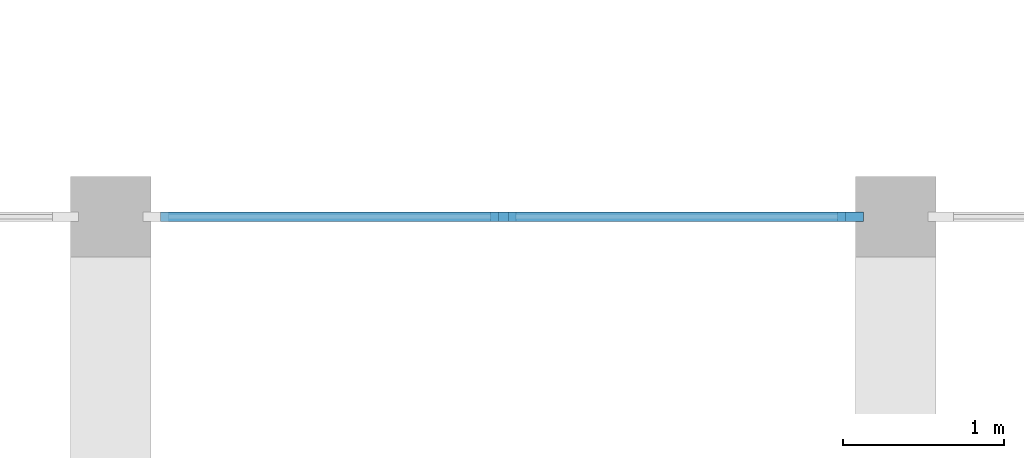
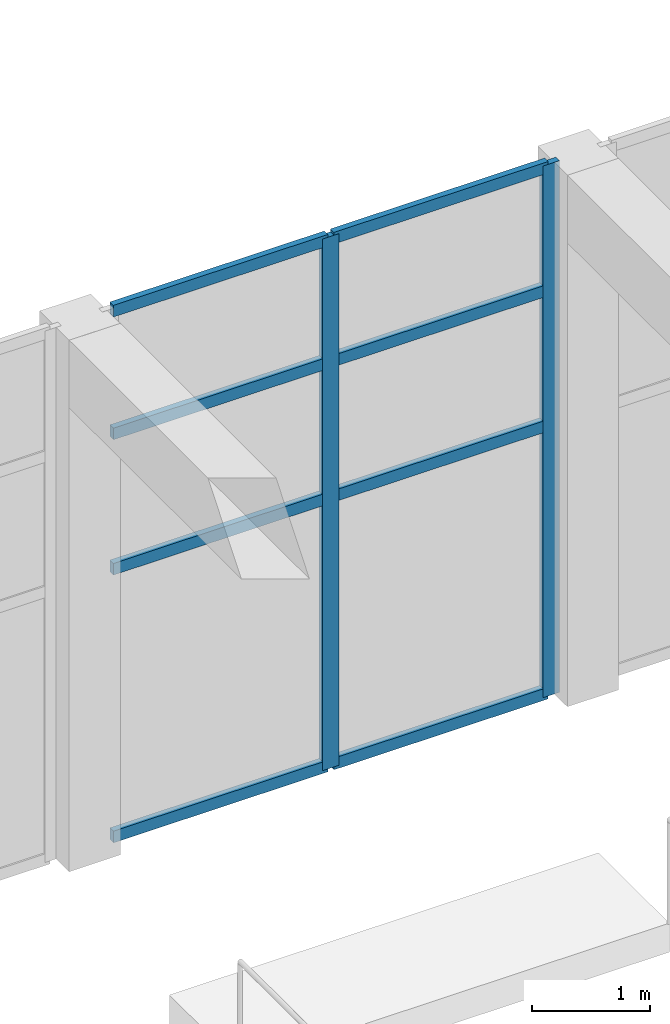
# One storey, part 10 of 175: 10 members, 1 element without a shape of its own.
"""IFC4 building model written with IfcOpenShell, lengths in metres."""

import ifcopenshell
import ifcopenshell.guid

model = None  # the IFC model being written
_history = None  # IfcOwnerHistory: only IFC2X3 demands one
_inside = {}  # id of a spatial element -> (the spatial element, [elements in it])
_under = {}  # id of a project, library or spatial element -> (it, [spatial elements below it])
_declared = {}  # id of a project -> (the project, [libraries it declares])
_typed = {}  # id of a type object -> (the type object, [elements of that type])
_made_of = {}  # id of a material, layer set ... -> (it, [elements and type objects made of it])


def new_model(schema):
    """Start an empty IFC model of exactly this schema.

    Asked for "IFC4X3", IfcOpenShell would pick the latest addendum, in which some entities
    have other attributes; the version numbers below select the first issue.
    IFC2X3 requires an IfcOwnerHistory on every rooted entity: one is made here for all.
    """
    global model, _history
    if schema == "IFC4X3":
        model = ifcopenshell.file(schema_version=(4, 3, 0, 0))
    else:
        model = ifcopenshell.file(schema=schema)
    _inside.clear()
    _under.clear()
    _declared.clear()
    _typed.clear()
    _made_of.clear()
    _history = None
    if model.schema == "IFC2X3":
        org = make("IfcOrganization", Name="unknown")
        user = make(
            "IfcPersonAndOrganization",
            ThePerson=make("IfcPerson", FamilyName="unknown"),
            TheOrganization=org,
        )
        app = make(
            "IfcApplication",
            ApplicationDeveloper=org,
            Version="unknown",
            ApplicationFullName="unknown",
            ApplicationIdentifier="unknown",
        )
        _history = make(
            "IfcOwnerHistory",
            OwningUser=user,
            OwningApplication=app,
            ChangeAction="ADDED",
            CreationDate=0,
        )
    return model


def make(cls, **values):
    """One entity of the class cls with the attributes given. An attribute that is None is left unset."""
    return model.create_entity(
        cls, **{name: value for name, value in values.items() if value is not None}
    )


def rooted(cls, **values):
    """An entity with a GlobalId (a new one), such as an element, a storey or a relation."""
    return make(cls, GlobalId=ifcopenshell.guid.new(), OwnerHistory=_history, **values)


def si_unit(unit_type, name, prefix=None):
    """IfcSIUnit, for example si_unit("LENGTHUNIT", "METRE", prefix="MILLI")."""
    return make("IfcSIUnit", UnitType=unit_type, Prefix=prefix, Name=name)


def assignment(units):
    """IfcUnitAssignment: the units of a project."""
    return None if units is None else make("IfcUnitAssignment", Units=units)


def point(xyz):
    """IfcCartesianPoint."""
    return None if xyz is None else make("IfcCartesianPoint", Coordinates=xyz)


def direction(xyz):
    """IfcDirection."""
    return None if xyz is None else make("IfcDirection", DirectionRatios=xyz)


def frame(location, z_axis=None, x_axis=None):
    """IfcAxis2Placement3D, a coordinate frame: its origin and axes. An axis left out is left unset."""
    return make(
        "IfcAxis2Placement3D",
        Location=point(location),
        Axis=direction(z_axis),
        RefDirection=direction(x_axis),
    )


def frame_2d(location, x_axis=None):
    """IfcAxis2Placement2D, a coordinate frame in the plane: its origin and x axis."""
    return make(
        "IfcAxis2Placement2D", Location=point(location), RefDirection=direction(x_axis)
    )


def origin():
    """The frame at (0, 0, 0) with its axes left unset."""
    return frame((0.0, 0.0, 0.0))


def origin_2d():
    """The frame at (0, 0) in the plane with its x axis left unset."""
    return frame_2d((0.0, 0.0))


def place(relative_to, where):
    """IfcLocalPlacement: puts the frame where relative to a parent placement (None: the world)."""
    return make(
        "IfcLocalPlacement", PlacementRelTo=relative_to, RelativePlacement=where
    )


def context(
    kind, dimensions, precision=None, world=None, true_north=None, identifier=None
):
    """IfcGeometricRepresentationContext, for example the 3D "Model" context."""
    return make(
        "IfcGeometricRepresentationContext",
        ContextIdentifier=identifier,
        ContextType=kind,
        CoordinateSpaceDimension=dimensions,
        Precision=precision,
        WorldCoordinateSystem=world,
        TrueNorth=true_north,
    )


def subcontext(parent, identifier, kind, view, scale=None):
    """IfcGeometricRepresentationSubContext, for example "Body" below "Model"."""
    return make(
        "IfcGeometricRepresentationSubContext",
        ContextIdentifier=identifier,
        ContextType=kind,
        ParentContext=parent,
        TargetScale=scale,
        TargetView=view,
    )


def project(units=None, contexts=None):
    """IfcProject with its units and contexts."""
    return rooted(
        "IfcProject",
        Name="project",
        RepresentationContexts=contexts,
        UnitsInContext=assignment(units),
    )


def spatial(cls, under=None, at=None, **own):
    """A site, building, storey or space (cls), placed at a placement, below another one or the project."""
    s = rooted(cls, ObjectPlacement=at, **own)
    if under is not None:
        _under.setdefault(under.id(), (under, []))[1].append(s)
    return s


def profile(cls, at=None, kind="AREA", **sizes):
    """A parametric profile (cls). Its sizes go by their IFC names, for example OverallWidth=200.0."""
    return make(cls, ProfileType=kind, Position=at, **sizes)


def rectangle(**sizes):
    """IfcRectangleProfileDef."""
    return profile("IfcRectangleProfileDef", **sizes)


def extrude(swept, where, along, depth):
    """IfcExtrudedAreaSolid: the profile swept, set in the frame where, extruded along a direction by depth."""
    return make(
        "IfcExtrudedAreaSolid",
        SweptArea=swept,
        Position=where,
        ExtrudedDirection=direction(along),
        Depth=depth,
    )


def shape(context_of_items, identifier, shape_type, items):
    """IfcShapeRepresentation: the items that make up one representation, for example the "Body"."""
    return make(
        "IfcShapeRepresentation",
        ContextOfItems=context_of_items,
        RepresentationIdentifier=identifier,
        RepresentationType=shape_type,
        Items=items,
    )


def material(Name=None, Category=None):
    """IfcMaterial."""
    return make("IfcMaterial", Name=Name, Category=Category)


def material_profile(
    of_material, cross_section, Name=None, Category=None, Priority=None
):
    """IfcMaterialProfile: a cross section and its material."""
    return make(
        "IfcMaterialProfile",
        Name=Name,
        Material=of_material,
        Profile=cross_section,
        Priority=Priority,
        Category=Category,
    )


def profile_set(profiles, Name=None, composite=None):
    """IfcMaterialProfileSet."""
    return make(
        "IfcMaterialProfileSet",
        Name=Name,
        MaterialProfiles=profiles,
        CompositeProfile=composite,
    )


def made_of(thing, what):
    """Note that an element or type object is made of a material, layer set ...; save() writes the relation."""
    if what is not None:
        _made_of.setdefault(what.id(), (what, []))[1].append(thing)
    return thing


def type_object(cls, material=None, **own):
    """A type object (cls), such as IfcWallType, which elements share."""
    return made_of(rooted(cls, **own), material)


def element(
    cls,
    number,
    at=None,
    inside=None,
    cuts=None,
    type_object=None,
    material=None,
    context=None,
    identifier="Body",
    shape_type=None,
    held_by="IfcProductDefinitionShape",
    body=None,
    shapes=None,
    **own,
):
    """One element of the class cls, such as IfcWall. Its Tag is "e" and its number.

    at: its placement. inside: the storey or other place that contains it. cuts: it is an
    opening in that element (IfcRelVoidsElement). A single representation is given by context,
    identifier, shape_type and body (its items); several are given by shapes. held_by: the class
    of the entity that holds the representations. save() writes the other relations.
    """
    e = rooted(cls, Tag="e%d" % number, ObjectPlacement=at, **own)
    if body is not None:
        shapes = [shape(context, identifier, shape_type, body)]
    if shapes is not None:
        e.Representation = make(held_by, Representations=shapes)
    if inside is not None:
        _inside.setdefault(inside.id(), (inside, []))[1].append(e)
    if cuts is not None:
        rooted(
            "IfcRelVoidsElement", RelatingBuildingElement=cuts, RelatedOpeningElement=e
        )
    if type_object is not None:
        _typed.setdefault(type_object.id(), (type_object, []))[1].append(e)
    return made_of(e, material)


def aggregate(whole, parts):
    """IfcRelAggregates: a whole, such as a stair, and the parts it consists of."""
    return rooted("IfcRelAggregates", RelatingObject=whole, RelatedObjects=parts)


def save(model, path):
    """Write the relations noted so far, then the file.

    IfcRelAggregates (storeys below a building ...), IfcRelContainedInSpatialStructure (elements
    in a storey), IfcRelDefinesByType, IfcRelAssociatesMaterial and IfcRelDeclares: one each for
    every whole, place, type object, material and project.
    """
    for whole, parts in _under.values():
        aggregate(whole, parts)
    for where, things in _inside.values():
        rooted(
            "IfcRelContainedInSpatialStructure",
            RelatedElements=things,
            RelatingStructure=where,
        )
    for kind, things in _typed.values():
        rooted("IfcRelDefinesByType", RelatedObjects=things, RelatingType=kind)
    for what, things in _made_of.values():
        rooted("IfcRelAssociatesMaterial", RelatedObjects=things, RelatingMaterial=what)
    for by, libraries in _declared.values():
        rooted("IfcRelDeclares", RelatingContext=by, RelatedDefinitions=libraries)
    model.write(path)


model = new_model("IFC4")

# Units and contexts
model_context = context("Model", 3, precision=1e-05, world=origin(), true_north=direction((0.0, 1.0)))
body_context = subcontext(model_context, "Body", "Model", "MODEL_VIEW")
ifc_project = project(units=[si_unit("LENGTHUNIT", "METRE"), si_unit("AREAUNIT", "SQUARE_METRE"), si_unit("VOLUMEUNIT", "CUBIC_METRE"), si_unit("PLANEANGLEUNIT", "RADIAN"), si_unit("MASSUNIT", "GRAM", prefix="KILO")], contexts=[model_context])

# Site, building, storey
site_placement = place(None, origin())
site = spatial("IfcSite", under=ifc_project, at=site_placement, CompositionType="ELEMENT")
building_placement = place(site_placement, origin())
building = spatial("IfcBuilding", under=site, at=building_placement, Name="Ogive Plaza Stadium", CompositionType="ELEMENT")
storey_placement = place(building_placement, origin())
storey = spatial("IfcBuildingStorey", under=building, at=storey_placement, Name="L00", CompositionType="ELEMENT", Elevation=0.0)

# Curtain wall, members
ifc_material_1 = material(Name="Aluminium and laminated glass", Category="aluminium")
curtain_wall_type = type_object("IfcCurtainWallType", Name="Headhouse curtain wall", PredefinedType="NOTDEFINED", material=ifc_material_1)
curtain_wall_placement = place(storey_placement, origin())
curtain_wall = element("IfcCurtainWall", 1, at=curtain_wall_placement, inside=storey, type_object=curtain_wall_type, Name="Headhouse 2 curtain wall", PredefinedType="NOTDEFINED")
ifc_material_2 = material(Name="Bronze-anodised aluminium", Category="aluminium")
ifc_material_profile_1 = material_profile(ifc_material_2, rectangle(XDim=0.06005859375, YDim=0.159912109375, at=origin_2d()), Name="Headhouse mullion 60x160")
ifc_profile_set_1 = profile_set([ifc_material_profile_1], Name="Bronze-anodised aluminium")
member_type_1 = type_object("IfcMemberType", Name="Headhouse mullion 60x160", PredefinedType="MULLION", material=ifc_profile_set_1)
member_1_placement = place(storey_placement, frame((105.5625, 19.25, 0.0), z_axis=(0.0, 0.0, 1.0), x_axis=(0.0, 1.0, 0.0)))
member_1 = element("IfcMember", 2, at=member_1_placement, type_object=member_type_1, Name="HCW2A mullion 2", PredefinedType="MULLION", context=body_context, shape_type="SweptSolid", body=[
    extrude(rectangle(XDim=0.06005859375, YDim=0.159912109375, at=origin_2d()), origin(), (0.0, 0.0, 1.0), 5.5),
])
member_2_placement = place(storey_placement, frame((107.719970703125, 19.25, 0.0), z_axis=(0.0, 0.0, 1.0), x_axis=(0.0, 1.0, 0.0)))
member_2 = element("IfcMember", 3, at=member_2_placement, type_object=member_type_1, Name="HCW2A mullion 3", PredefinedType="MULLION", context=body_context, shape_type="SweptSolid", body=[
    extrude(rectangle(XDim=0.06005859375, YDim=0.159912109375, at=origin_2d()), origin(), (0.0, 0.0, 1.0), 5.5),
])
ifc_material_3 = material(Name="Bronze-anodised aluminium", Category="aluminium")
ifc_material_profile_2 = material_profile(ifc_material_3, rectangle(XDim=0.06005859375, YDim=0.1201171875, at=origin_2d()), Name="Headhouse transom 60x120")
ifc_profile_set_2 = profile_set([ifc_material_profile_2], Name="Bronze-anodised aluminium")
member_type_2 = type_object("IfcMemberType", Name="Headhouse transom 60x120", PredefinedType="USERDEFINED", material=ifc_profile_set_2)
member_3_placement = place(storey_placement, frame((103.43505859375, 19.25, 0.030029296875), z_axis=(1.0, 0.0, 0.0), x_axis=(0.0, 1.0, 0.0)))
member_3 = element("IfcMember", 4, at=member_3_placement, type_object=member_type_2, Name="HCW2A transom 1.1", ObjectType="TRANSOM", PredefinedType="USERDEFINED", context=body_context, shape_type="SweptSolid", body=[
    extrude(rectangle(XDim=0.06005859375, YDim=0.1201171875, at=origin_2d()), origin(), (0.0, 0.0, 1.0), 2.097412109375),
])
member_4_placement = place(storey_placement, frame((103.43505859375, 19.25, 2.800048828125), z_axis=(1.0, 0.0, 0.0), x_axis=(0.0, 1.0, 0.0)))
member_4 = element("IfcMember", 5, at=member_4_placement, type_object=member_type_2, Name="HCW2A transom 1.2", ObjectType="TRANSOM", PredefinedType="USERDEFINED", context=body_context, shape_type="SweptSolid", body=[
    extrude(rectangle(XDim=0.06005859375, YDim=0.1201171875, at=origin_2d()), origin(), (0.0, 0.0, 1.0), 2.097412109375),
])
member_5_placement = place(storey_placement, frame((103.43505859375, 19.25, 4.199951171875), z_axis=(1.0, 0.0, 0.0), x_axis=(0.0, 1.0, 0.0)))
member_5 = element("IfcMember", 6, at=member_5_placement, type_object=member_type_2, Name="HCW2A transom 1.3", ObjectType="TRANSOM", PredefinedType="USERDEFINED", context=body_context, shape_type="SweptSolid", body=[
    extrude(rectangle(XDim=0.06005859375, YDim=0.1201171875, at=origin_2d()), origin(), (0.0, 0.0, 1.0), 2.097412109375),
])
member_6_placement = place(storey_placement, frame((103.43505859375, 19.25, 5.469970703125), z_axis=(1.0, 0.0, 0.0), x_axis=(0.0, 1.0, 0.0)))
member_6 = element("IfcMember", 7, at=member_6_placement, type_object=member_type_2, Name="HCW2A transom 1.4", ObjectType="TRANSOM", PredefinedType="USERDEFINED", context=body_context, shape_type="SweptSolid", body=[
    extrude(rectangle(XDim=0.06005859375, YDim=0.1201171875, at=origin_2d()), origin(), (0.0, 0.0, 1.0), 2.097412109375),
])
member_7_placement = place(storey_placement, frame((105.592529296875, 19.25, 0.030029296875), z_axis=(1.0, 0.0, 0.0), x_axis=(0.0, 1.0, 0.0)))
member_7 = element("IfcMember", 8, at=member_7_placement, type_object=member_type_2, Name="HCW2A transom 2.1", ObjectType="TRANSOM", PredefinedType="USERDEFINED", context=body_context, shape_type="SweptSolid", body=[
    extrude(rectangle(XDim=0.06005859375, YDim=0.1201171875, at=origin_2d()), origin(), (0.0, 0.0, 1.0), 2.097412109375),
])
member_8_placement = place(storey_placement, frame((105.592529296875, 19.25, 2.800048828125), z_axis=(1.0, 0.0, 0.0), x_axis=(0.0, 1.0, 0.0)))
member_8 = element("IfcMember", 9, at=member_8_placement, type_object=member_type_2, Name="HCW2A transom 2.2", ObjectType="TRANSOM", PredefinedType="USERDEFINED", context=body_context, shape_type="SweptSolid", body=[
    extrude(rectangle(XDim=0.06005859375, YDim=0.1201171875, at=origin_2d()), origin(), (0.0, 0.0, 1.0), 2.097412109375),
])
member_9_placement = place(storey_placement, frame((105.592529296875, 19.25, 4.199951171875), z_axis=(1.0, 0.0, 0.0), x_axis=(0.0, 1.0, 0.0)))
member_9 = element("IfcMember", 10, at=member_9_placement, type_object=member_type_2, Name="HCW2A transom 2.3", ObjectType="TRANSOM", PredefinedType="USERDEFINED", context=body_context, shape_type="SweptSolid", body=[
    extrude(rectangle(XDim=0.06005859375, YDim=0.1201171875, at=origin_2d()), origin(), (0.0, 0.0, 1.0), 2.097412109375),
])
member_10_placement = place(storey_placement, frame((105.592529296875, 19.25, 5.469970703125), z_axis=(1.0, 0.0, 0.0), x_axis=(0.0, 1.0, 0.0)))
member_10 = element("IfcMember", 11, at=member_10_placement, type_object=member_type_2, Name="HCW2A transom 2.4", ObjectType="TRANSOM", PredefinedType="USERDEFINED", context=body_context, shape_type="SweptSolid", body=[
    extrude(rectangle(XDim=0.06005859375, YDim=0.1201171875, at=origin_2d()), origin(), (0.0, 0.0, 1.0), 2.097412109375),
])
aggregate(curtain_wall, [member_1, member_2, member_3, member_4, member_5, member_6, member_7, member_8, member_9, member_10])

save(model, "model.ifc")
